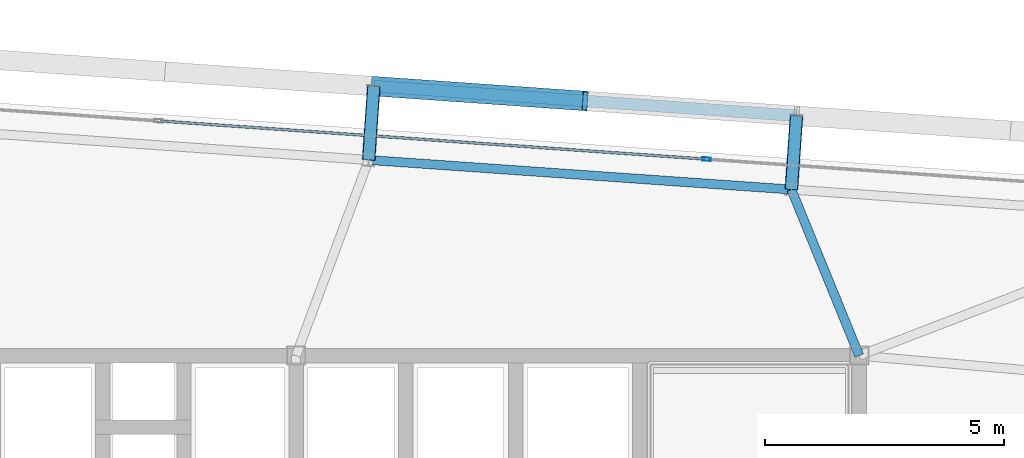
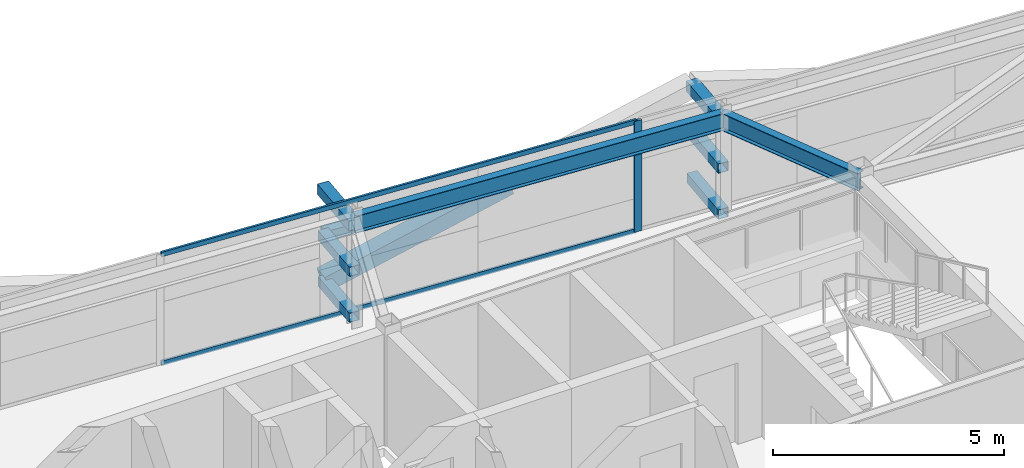
# One storey, part 23 of 39: 11 members, 2 beams, 1 element without a shape of its own.
"""IFC4 building model written with IfcOpenShell, lengths in metres."""

from ifc_helpers import new_model, si_unit, direction, frame, origin, origin_2d, place, context, subcontext, project, spatial, hollow_rectangle, i_section, extrude, source, transform, mapped, material, layer, layer_set, material_profile, profile_set, type_object, element, aggregate, save


model = new_model("IFC4")

# Units and contexts
model_context = context("Model", 3, precision=1e-05, world=origin(), true_north=direction((0.0, 1.0)))
body_context = subcontext(model_context, "Body", "Model", "MODEL_VIEW")
ifc_project = project(units=[si_unit("LENGTHUNIT", "METRE"), si_unit("AREAUNIT", "SQUARE_METRE"), si_unit("VOLUMEUNIT", "CUBIC_METRE"), si_unit("PLANEANGLEUNIT", "RADIAN"), si_unit("MASSUNIT", "GRAM", prefix="KILO")], contexts=[model_context])

# Site, building, storey
site_placement = place(None, origin())
site = spatial("IfcSite", under=ifc_project, at=site_placement, CompositionType="ELEMENT")
building_placement = place(site_placement, origin())
building = spatial("IfcBuilding", under=site, at=building_placement, Name="Taldren Reach Tower", CompositionType="ELEMENT")
storey_placement = place(building_placement, frame((0.0, 0.0, 148.75)))
storey = spatial("IfcBuildingStorey", under=building, at=storey_placement, Name="L45", CompositionType="ELEMENT", Elevation=148.75)

# Members
ifc_material_1 = material(Name="Steel Gr 450 (C450L0)", Category="steel")
ifc_material_profile_1 = material_profile(ifc_material_1, hollow_rectangle(XDim=0.27490234375, YDim=0.27490234375, WallThickness=0.00927734375, at=origin_2d()), Name="275x275x9.3SHS")
ifc_profile_set_1 = profile_set([ifc_material_profile_1], Name="Steel Gr 450 (C450L0)")
member_type_1 = type_object("IfcMemberType", Name="MB-TIE273", PredefinedType="STRUT", material=ifc_profile_set_1)
shared_shape_1 = source(origin(), body_context, "Body", "SweptSolid", [
    extrude(hollow_rectangle(XDim=0.27490234375, YDim=0.27490234375, WallThickness=0.00927734375, at=origin_2d()), origin(), (0.0, 0.0, 1.0), 1.550048828125),
])
for number, where, z_axis, x_axis, name in (
    (1, (40.7197265625, 36.100341796875, 2.64990234375), (0.06976957191, 0.99756313426, 0.0), (-0.99756313426, 0.06976957191, 0.0), "Exoskeleton diaphragm tie strut B3-N4 L45"),
    (2, (49.578125, 35.48095703125, 2.64990234375), (0.06976957191, 0.99756313426, 0.0), (-0.99756313426, 0.06976957191, 0.0), "Exoskeleton diaphragm tie strut B3-N5 L45"),
):
    element("IfcMember", number, at=place(storey_placement, frame(where, z_axis=z_axis, x_axis=x_axis)), inside=storey, type_object=member_type_1, Name=name, PredefinedType="STRUT", context=body_context, shape_type="MappedRepresentation", body=[
        mapped(shared_shape_1, transform((0.0, 0.0, 0.0), scale=1.0)),
    ])
ifc_material_2 = material(Name="Steel Gr 350 (C350L0)", Category="steel")
ifc_material_profile_2 = material_profile(ifc_material_2, hollow_rectangle(XDim=0.25, YDim=0.25, WallThickness=0.010009765625, at=origin_2d()), Name="250x250x10.0SHS")
ifc_profile_set_2 = profile_set([ifc_material_profile_2], Name="Steel Gr 350 (C350L0)")
member_type_2 = type_object("IfcMemberType", Name="MB-POST250", PredefinedType="POST", material=ifc_profile_set_2)
shared_shape_2 = source(origin(), body_context, "Body", "SweptSolid", [
    extrude(hollow_rectangle(XDim=0.25, YDim=0.25, WallThickness=0.010009765625, at=origin_2d()), origin(), (0.0, 0.0, 1.0), 1.550048828125),
])
for number, where, z_axis, x_axis, name in (
    (3, (40.7197265625, 36.100341796875, 0.219970703125), (0.06976957191, 0.99756313426, 0.0), (-0.99756313426, 0.06976957191, 0.0), "Exoskeleton base diaphragm tie strut B3-N4 L45"),
    (4, (49.578125, 35.48095703125, 0.219970703125), (0.06976957191, 0.99756313426, 0.0), (-0.99756313426, 0.06976957191, 0.0), "Exoskeleton base diaphragm tie strut B3-N5 L45"),
    (5, (40.7197265625, 36.100341796875, 1.43505859375), (0.06976957191, 0.99756313426, 0.0), (-0.99756313426, 0.06976957191, 0.0), "Exoskeleton mid-tier diaphragm tie B3-N4 L45"),
    (6, (49.578125, 35.48095703125, 1.43505859375), (0.06976957191, 0.99756313426, 0.0), (-0.99756313426, 0.06976957191, 0.0), "Exoskeleton mid-tier diaphragm tie B3-N5 L45"),
):
    element("IfcMember", number, at=place(storey_placement, frame(where, z_axis=z_axis, x_axis=x_axis)), inside=storey, type_object=member_type_2, Name=name, PredefinedType="POST", context=body_context, shape_type="MappedRepresentation", body=[
        mapped(shared_shape_2, transform((0.0, 0.0, 0.0), scale=1.0)),
    ])

# Beams
ifc_material_3 = material(Name="Steel Gr 350 (350PLUS)", Category="steel")
ifc_material_profile_3 = material_profile(ifc_material_3, i_section(OverallWidth=0.18994140625, OverallDepth=0.4541015625, WebThickness=0.008544921875, FlangeThickness=0.0126953125, at=origin_2d()), Name="460UB67.1")
ifc_profile_set_3 = profile_set([ifc_material_profile_3], Name="Steel Gr 350 (350PLUS)")
beam_type_1 = type_object("IfcBeamType", Name="SP-UB460B", PredefinedType="SPANDREL", material=ifc_profile_set_3)
shared_shape_3 = source(origin(), body_context, "Body", "SweptSolid", [
    extrude(i_section(OverallWidth=0.18994140625, OverallDepth=0.4541015625, WebThickness=0.008544921875, FlangeThickness=0.0126953125, at=origin_2d()), origin(), (0.0, 0.0, 1.0), 8.880126953125),
])
beam_1_placement = place(storey_placement, frame((49.578125, 35.48095703125, 2.702880859375), z_axis=(-0.997564479639, 0.069750333063, 0.0), x_axis=(-0.069750333063, -0.997564479639, 0.0)))
element("IfcBeam", 7, at=beam_1_placement, inside=storey, type_object=beam_type_1, Name="Perimeter spandrel B3 N5-N4 L45", PredefinedType="SPANDREL", context=body_context, shape_type="MappedRepresentation", body=[
    mapped(shared_shape_3, transform((0.0, 0.0, 0.0), scale=1.0)),
])
ifc_material_profile_4 = material_profile(ifc_material_3, i_section(OverallWidth=0.19091796875, OverallDepth=0.4599609375, WebThickness=0.010009765625, FlangeThickness=0.01611328125, at=origin_2d()), Name="460UB82.1")
ifc_profile_set_4 = profile_set([ifc_material_profile_4], Name="Steel Gr 350 (350PLUS)")
beam_type_2 = type_object("IfcBeamType", Name="BM-UB460A", PredefinedType="BEAM", material=ifc_profile_set_4)
shared_shape_4 = source(origin(), body_context, "Body", "SweptSolid", [
    extrude(i_section(OverallWidth=0.19091796875, OverallDepth=0.4599609375, WebThickness=0.010009765625, FlangeThickness=0.01611328125, at=origin_2d()), origin(), (0.0, 0.0, 1.0), 3.76025390625),
])
beam_2_placement = place(storey_placement, frame((51.0, 32.0, 2.699951171875), z_axis=(-0.37814232545, 0.925747471886, 0.0), x_axis=(-0.925747471886, -0.37814232545, 0.0)))
element("IfcBeam", 8, at=beam_2_placement, inside=storey, type_object=beam_type_2, Name="Primary floor girder B3-N5 L45", PredefinedType="BEAM", context=body_context, shape_type="MappedRepresentation", body=[
    mapped(shared_shape_4, transform((0.0, 0.0, 0.0), scale=1.0)),
])

# Members
shared_shape_5 = source(origin(), body_context, "Body", "SweptSolid", [
    extrude(hollow_rectangle(XDim=0.25, YDim=0.25, WallThickness=0.010009765625, at=origin_2d()), origin(), (0.0, 0.0, 1.0), 8.880126953125),
])
member_1_placement = place(storey_placement, frame((40.827880859375, 37.646728515625, 1.43505859375), z_axis=(0.997564479639, -0.069750333063, 0.0), x_axis=(0.069750333063, 0.997564479639, 0.0)))
element("IfcMember", 9, at=member_1_placement, inside=storey, type_object=member_type_2, Name="Exoskeleton mid-height ring chord B3-N4 L45", PredefinedType="POST", context=body_context, shape_type="MappedRepresentation", body=[
    mapped(shared_shape_5, transform((0.0, 0.0, 0.0), scale=1.0)),
])
ifc_material_profile_5 = material_profile(ifc_material_1, hollow_rectangle(XDim=0.409912109375, YDim=0.409912109375, WallThickness=0.01611328125, at=origin_2d()), Name="410x410x16.0SHS")
ifc_profile_set_5 = profile_set([ifc_material_profile_5], Name="Steel Gr 450 (C450L0)")
member_type_3 = type_object("IfcMemberType", Name="MB-EXO406", PredefinedType="BRACE", material=ifc_profile_set_5)
shared_shape_6 = source(origin(), body_context, "Body", "SweptSolid", [
    extrude(hollow_rectangle(XDim=0.409912109375, YDim=0.409912109375, WallThickness=0.01611328125, at=origin_2d()), origin(), (0.0, 0.0, 1.0), 4.603271484375),
])
member_2_placement = place(storey_placement, frame((40.827880859375, 37.646728515625, 0.219970703125), z_axis=(0.962182351074, -0.067302910567, 0.263961060594), x_axis=(0.06977769246, 0.997562566276, 0.0)))
element("IfcMember", 10, at=member_2_placement, inside=storey, type_object=member_type_3, Name="Exoskeleton Diagrid Brace B3-N4 L45", PredefinedType="BRACE", context=body_context, shape_type="MappedRepresentation", body=[
    mapped(shared_shape_6, transform((0.0, 0.0, 0.0), scale=1.0)),
])

# Curtain wall, members
ifc_material_4 = material(Name="Aluminium and Low-E Glass Unitised System", Category="aluminium")
ifc_layer = layer(ifc_material_4, 0.159912109375)
ifc_layer_set = layer_set([ifc_layer], Name="Aluminium and Low-E Glass Unitised System")
curtain_wall_type = type_object("IfcCurtainWallType", Name="CW-SYS-4", PredefinedType="NOTDEFINED", material=ifc_layer_set)
curtain_wall_placement = place(storey_placement, origin())
curtain_wall = element("IfcCurtainWall", 11, at=curtain_wall_placement, inside=storey, type_object=curtain_wall_type, Name="Unitised curtain wall CW-L45-N", PredefinedType="NOTDEFINED")
ifc_material_5 = material(Name="Anodised Aluminium 6063-T6", Category="aluminium")
ifc_material_profile_6 = material_profile(ifc_material_5, hollow_rectangle(XDim=0.054931640625, YDim=0.1201171875, WallThickness=0.0029296875, at=origin_2d()), Name="ALU-120x55x3RHS")
ifc_profile_set_6 = profile_set([ifc_material_profile_6], Name="Anodised Aluminium 6063-T6")
member_type_4 = type_object("IfcMemberType", Name="CW-TRN-135", PredefinedType="USERDEFINED", material=ifc_profile_set_6)
shared_shape_7 = source(origin(), body_context, "Body", "SweptSolid", [
    extrude(hollow_rectangle(XDim=0.054931640625, YDim=0.1201171875, WallThickness=0.0029296875, at=origin_2d()), origin(), (0.0, 0.0, 1.0), 11.429931640625),
])
member_3_placement = place(storey_placement, frame((47.76318359375, 36.119140625, 0.027587890625), z_axis=(-0.997563740938, 0.069760897114, 0.0), x_axis=(-0.069760897114, -0.997563740938, 0.0)))
member_3 = element("IfcMember", 12, at=member_3_placement, type_object=member_type_4, Name="CW-4 transom 2.1", ObjectType="TRANSOM", PredefinedType="USERDEFINED", context=body_context, shape_type="MappedRepresentation", body=[
    mapped(shared_shape_7, transform((0.0, 0.0, 0.0), scale=1.0)),
])
member_4_placement = place(storey_placement, frame((47.76318359375, 36.119140625, 2.902587890625), z_axis=(-0.997563740938, 0.069760897114, 0.0), x_axis=(-0.069760897114, -0.997563740938, 0.0)))
member_4 = element("IfcMember", 13, at=member_4_placement, type_object=member_type_4, Name="CW-4 transom 2.2", ObjectType="TRANSOM", PredefinedType="USERDEFINED", context=body_context, shape_type="MappedRepresentation", body=[
    mapped(shared_shape_7, transform((0.0, 0.0, 0.0), scale=1.0)),
])
ifc_material_profile_7 = material_profile(ifc_material_5, hollow_rectangle(XDim=0.070068359375, YDim=0.179931640625, WallThickness=0.00390625, at=origin_2d()), Name="ALU-180x70x4RHS")
ifc_profile_set_7 = profile_set([ifc_material_profile_7], Name="Anodised Aluminium 6063-T6")
member_type_5 = type_object("IfcMemberType", Name="CW-MUL-180", PredefinedType="MULLION", material=ifc_profile_set_7)
shared_shape_8 = source(origin(), body_context, "Body", "SweptSolid", [
    extrude(hollow_rectangle(XDim=0.070068359375, YDim=0.179931640625, WallThickness=0.00390625, at=origin_2d()), origin(), (0.0, 0.0, 1.0), 2.929931640625),
])
member_5_placement = place(storey_placement, frame((47.798095703125, 36.11669921875, 0.0), z_axis=(0.0, 0.0, 1.0), x_axis=(-0.06975651593, -0.99756404731, 0.0)))
member_5 = element("IfcMember", 14, at=member_5_placement, type_object=member_type_5, Name="CW-4 mullion 2", PredefinedType="MULLION", context=body_context, shape_type="MappedRepresentation", body=[
    mapped(shared_shape_8, transform((0.0, 0.0, 0.0), scale=1.0)),
])
aggregate(curtain_wall, [member_5, member_3, member_4])

save(model, "model.ifc")
